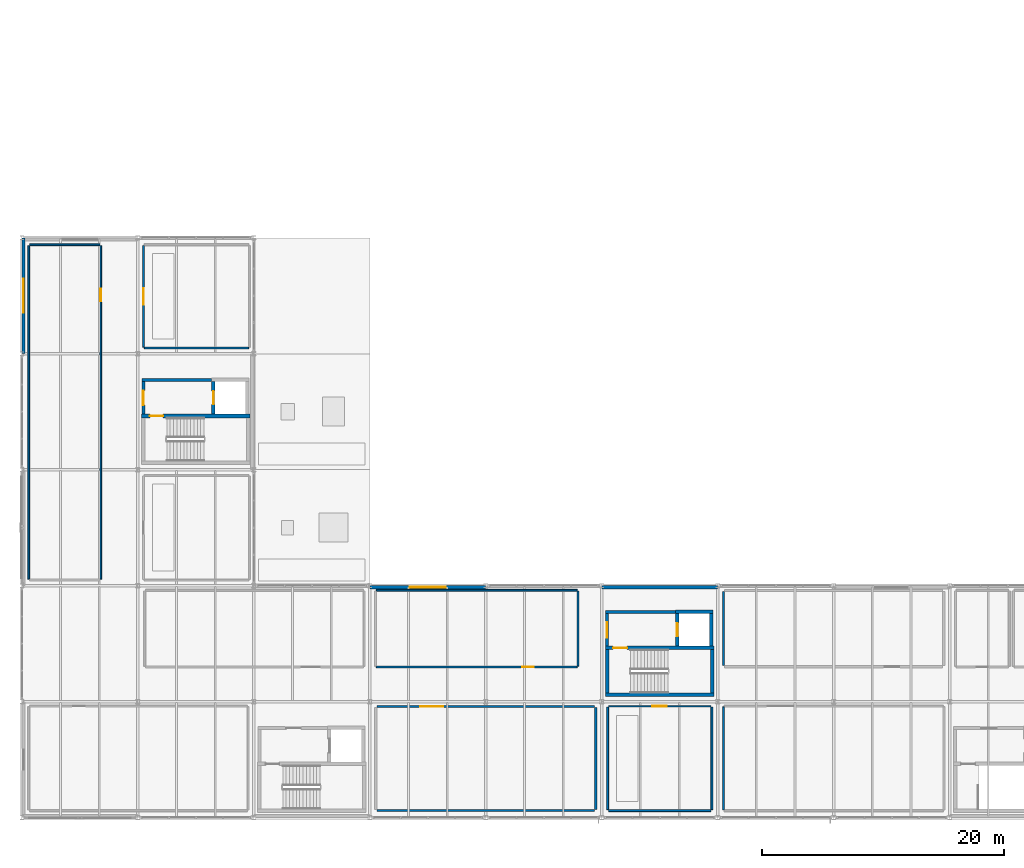
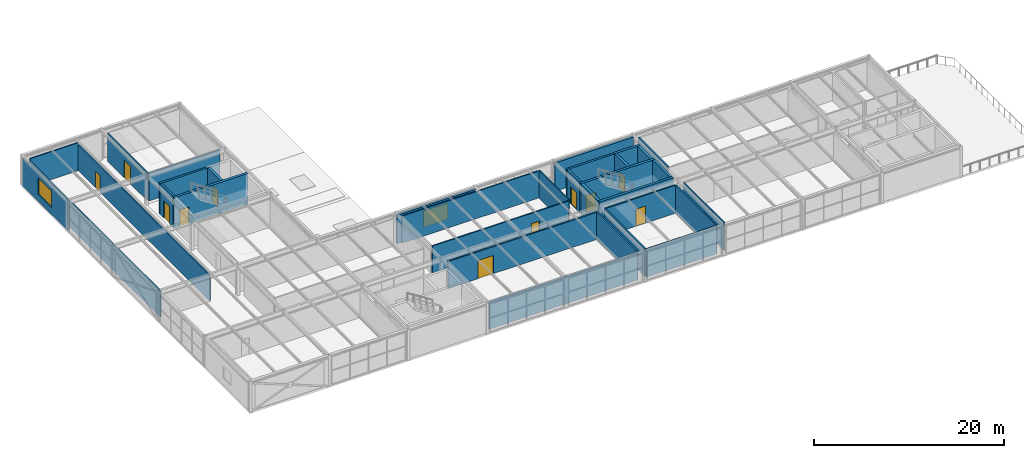
# One storey, part 43 of 50: 33 walls, 11 doors, 2 windows, 13 openings.
"""IFC4 building model written with IfcOpenShell, lengths in metres."""

from ifc_helpers import new_model, si_unit, direction, frame, frame_2d, origin, place, context, subcontext, project, spatial, rectangle, extrude, material, layer, layer_set, type_object, element, fill, save


model = new_model("IFC4")

# Units and contexts
model_context = context("Model", 3, precision=1e-05, world=origin(), true_north=direction((0.0, 1.0)))
body_context = subcontext(model_context, "Body", "Model", "MODEL_VIEW")
ifc_project = project(units=[si_unit("LENGTHUNIT", "METRE"), si_unit("AREAUNIT", "SQUARE_METRE"), si_unit("VOLUMEUNIT", "CUBIC_METRE"), si_unit("PLANEANGLEUNIT", "RADIAN"), si_unit("MASSUNIT", "GRAM", prefix="KILO")], contexts=[model_context])

# Site, building, storey
site_placement = place(None, origin())
site = spatial("IfcSite", under=ifc_project, at=site_placement, CompositionType="ELEMENT")
building_placement = place(site_placement, origin())
building = spatial("IfcBuilding", under=site, at=building_placement, Name="Coralgate Yard Interchange", CompositionType="ELEMENT")
storey_placement = place(building_placement, frame((0.0, 0.0, 14.699951171875)))
storey = spatial("IfcBuildingStorey", under=building, at=storey_placement, Name="L03", CompositionType="ELEMENT", Elevation=14.699951171875)

# Wall, opening, door
ifc_material_1 = material(Name="Concrete C40/50", Category="concrete")
ifc_layer_1 = layer(ifc_material_1, 0.300048828125)
ifc_layer_set_1 = layer_set([ifc_layer_1], Name="Concrete C40/50")
wall_type_1 = type_object("IfcWallType", Name="WAL-CW300", PredefinedType="SHEAR", material=ifc_layer_set_1)
wall_1_placement = place(storey_placement, frame((18.89990234375, 33.25, 0.0), z_axis=(0.0, 0.0, 1.0), x_axis=(-1.0, 0.0, 0.0)))
wall_1 = element("IfcWall", 1, at=wall_1_placement, inside=storey, type_object=wall_type_1, Name="C1 L03 stair north shear wall", PredefinedType="SHEAR", context=body_context, shape_type="SweptSolid", body=[
    extrude(rectangle(XDim=9.0, YDim=0.300048828125, at=frame_2d((4.5, 0.0))), origin(), (0.0, 0.0, 1.0), 3.949951171875),
])
opening_1_placement = place(wall_1_placement, frame((7.199951171875, 0.0, 0.0)))
opening_1 = element("IfcOpeningElement", 2, at=opening_1_placement, cuts=wall_1, Name="Opening FD-1", PredefinedType="OPENING", context=body_context, shape_type="SweptSolid", body=[
    extrude(rectangle(XDim=1.10009765625, YDim=2.14990234375, at=frame_2d((0.550048828125, 1.074951171875))), frame((0.0, 0.159912109375, 0.0), z_axis=(0.0, -1.0, 0.0), x_axis=(1.0, 0.0, 0.0)), (0.0, 0.0, 1.0), 0.320068359375),
])
ifc_material_2 = material(Name="Powder-coated steel fire door assembly", Category="steel")
door_type_1 = type_object("IfcDoorType", Name="DOR-FD-1", OperationType="NOTDEFINED", PredefinedType="DOOR", material=ifc_material_2)
door_1_placement = place(opening_1_placement, frame((1.10009765625, 0.0, 0.0), z_axis=(0.0, 0.0, 1.0), x_axis=(-1.0, 0.0, 0.0)))
door_1 = element("IfcDoor", 3, at=door_1_placement, inside=storey, type_object=door_type_1, Name="C1 L03 stair fire door", OperationType="SINGLE_SWING_RIGHT", OverallHeight=2.14990234375, OverallWidth=1.10009765625, PredefinedType="DOOR", context=body_context, shape_type="SweptSolid", body=[
    extrude(rectangle(XDim=1.10009765625, YDim=2.14990234375, at=frame_2d((0.550048828125, 1.074951171875))), frame((0.0, 0.02490234375, 0.0), z_axis=(0.0, -1.0, 0.0), x_axis=(1.0, 0.0, 0.0)), (0.0, 0.0, 1.0), 0.050048828125),
])
fill(opening_1, door_1)

wall_2_placement = place(storey_placement, frame((15.85009765625, 36.10009765625, 0.0), z_axis=(0.0, 0.0, 1.0), x_axis=(0.0, -1.0, 0.0)))
wall_2 = element("IfcWall", 4, at=wall_2_placement, inside=storey, type_object=wall_type_1, Name="C1 L03 lift front shear wall", PredefinedType="SHEAR", context=body_context, shape_type="SweptSolid", body=[
    extrude(rectangle(XDim=2.7001953125, YDim=0.300048828125, at=frame_2d((1.35009765625, 0.0))), origin(), (0.0, 0.0, 1.0), 3.949951171875),
])
opening_2_placement = place(wall_2_placement, frame((0.800048828125, 0.0, 0.0)))
opening_2 = element("IfcOpeningElement", 5, at=opening_2_placement, cuts=wall_2, Name="Opening LD-1", PredefinedType="OPENING", context=body_context, shape_type="SweptSolid", body=[
    extrude(rectangle(XDim=1.10009765625, YDim=2.10009765625, at=frame_2d((0.550048828125, 1.050048828125))), frame((0.0, 0.159912109375, 0.0), z_axis=(0.0, -1.0, 0.0), x_axis=(1.0, 0.0, 0.0)), (0.0, 0.0, 1.0), 0.320068359375),
])
ifc_material_3 = material(Name="Brushed stainless steel firefighting lift landing door", Category="steel")
door_type_2 = type_object("IfcDoorType", Name="DOR-LD-1", OperationType="DOUBLE_DOOR_SLIDING", PredefinedType="DOOR", material=ifc_material_3)
door_2_placement = place(opening_2_placement, frame((1.10009765625, 0.0, 0.0), z_axis=(0.0, 0.0, 1.0), x_axis=(-1.0, 0.0, 0.0)))
door_2 = element("IfcDoor", 6, at=door_2_placement, inside=storey, type_object=door_type_2, Name="FFL-01 L03 sliding lift landing door", OperationType="DOUBLE_DOOR_SLIDING", OverallHeight=2.10009765625, OverallWidth=1.10009765625, PredefinedType="DOOR", context=body_context, shape_type="SweptSolid", body=[
    extrude(rectangle(XDim=1.10009765625, YDim=2.10009765625, at=frame_2d((0.550048828125, 1.050048828125))), frame((0.0, 0.02490234375, 0.0), z_axis=(0.0, -1.0, 0.0), x_axis=(1.0, 0.0, 0.0)), (0.0, 0.0, 1.0), 0.050048828125),
])
fill(opening_2, door_2)

# Wall
wall_3_placement = place(storey_placement, frame((48.300048828125, 10.169921875, 0.0), z_axis=(0.0, 0.0, 1.0), x_axis=(1.0, 0.0, 0.0)))
element("IfcWall", 7, at=wall_3_placement, inside=storey, type_object=wall_type_1, Name="C2 L03 stair south shear wall", PredefinedType="SHEAR", context=body_context, shape_type="SweptSolid", body=[
    extrude(rectangle(XDim=9.0, YDim=0.300048828125, at=frame_2d((4.5, 0.0))), origin(), (0.0, 0.0, 1.0), 3.949951171875),
])

# Wall, opening, door
wall_4_placement = place(storey_placement, frame((57.300048828125, 14.050048828125, 0.0), z_axis=(0.0, 0.0, 1.0), x_axis=(-1.0, 0.0, 0.0)))
wall_4 = element("IfcWall", 8, at=wall_4_placement, inside=storey, type_object=wall_type_1, Name="C2 L03 stair north shear wall", PredefinedType="SHEAR", context=body_context, shape_type="SweptSolid", body=[
    extrude(rectangle(XDim=9.0, YDim=0.300048828125, at=frame_2d((4.5, 0.0))), origin(), (0.0, 0.0, 1.0), 3.949951171875),
])
opening_3_placement = place(wall_4_placement, frame((7.199951171875, 0.0, 0.0)))
opening_3 = element("IfcOpeningElement", 9, at=opening_3_placement, cuts=wall_4, Name="Opening FD-1B", PredefinedType="OPENING", context=body_context, shape_type="SweptSolid", body=[
    extrude(rectangle(XDim=1.14990234375, YDim=2.14990234375, at=frame_2d((0.574951171875, 1.074951171875))), frame((0.0, 0.159912109375, 0.0), z_axis=(0.0, -1.0, 0.0), x_axis=(1.0, 0.0, 0.0)), (0.0, 0.0, 1.0), 0.320068359375),
])
door_type_3 = type_object("IfcDoorType", Name="DOR-FD-1B", OperationType="NOTDEFINED", PredefinedType="DOOR", material=ifc_material_2)
door_3_placement = place(opening_3_placement, frame((1.14990234375, 0.0, 0.0), z_axis=(0.0, 0.0, 1.0), x_axis=(-1.0, 0.0, 0.0)))
door_3 = element("IfcDoor", 10, at=door_3_placement, inside=storey, type_object=door_type_3, Name="C2 L03 stair fire door", OperationType="SINGLE_SWING_LEFT", OverallHeight=2.14990234375, OverallWidth=1.14990234375, PredefinedType="DOOR", context=body_context, shape_type="SweptSolid", body=[
    extrude(rectangle(XDim=1.14990234375, YDim=2.14990234375, at=frame_2d((0.574951171875, 1.074951171875))), frame((0.0, 0.02490234375, 0.0), z_axis=(0.0, -1.0, 0.0), x_axis=(1.0, 0.0, 0.0)), (0.0, 0.0, 1.0), 0.050048828125),
])
fill(opening_3, door_3)

# Walls
for number, where, z_axis, x_axis, name in (
    (11, (48.449951171875, 10.320068359375, 0.0), (0.0, 0.0, 1.0), (0.0, 1.0, 0.0), "C2 L03 stair west shear wall"),
    (12, (57.14990234375, 13.89990234375, 0.0), (0.0, 0.0, 1.0), (0.0, -1.0, 0.0), "C2 L03 stair east shear wall"),
):
    element("IfcWall", number, at=place(storey_placement, frame(where, z_axis=z_axis, x_axis=x_axis)), inside=storey, type_object=wall_type_1, Name=name, PredefinedType="SHEAR", context=body_context, shape_type="SweptSolid", body=[
        extrude(rectangle(XDim=3.579833984375, YDim=0.300048828125, at=frame_2d((1.7900390625, 0.0))), origin(), (0.0, 0.0, 1.0), 3.949951171875),
    ])

# Wall, opening, door
wall_5_placement = place(storey_placement, frame((54.25, 16.89990234375, 0.0), z_axis=(0.0, 0.0, 1.0), x_axis=(0.0, -1.0, 0.0)))
wall_5 = element("IfcWall", 13, at=wall_5_placement, inside=storey, type_object=wall_type_1, Name="C2 L03 lift front shear wall", PredefinedType="SHEAR", context=body_context, shape_type="SweptSolid", body=[
    extrude(rectangle(XDim=2.699951171875, YDim=0.300048828125, at=frame_2d((1.35009765625, 0.0))), origin(), (0.0, 0.0, 1.0), 3.949951171875),
])
opening_4_placement = place(wall_5_placement, frame((0.800048828125, 0.0, 0.0)))
opening_4 = element("IfcOpeningElement", 14, at=opening_4_placement, cuts=wall_5, Name="Opening LD-1", PredefinedType="OPENING", context=body_context, shape_type="SweptSolid", body=[
    extrude(rectangle(XDim=1.10009765625, YDim=2.10009765625, at=frame_2d((0.550048828125, 1.050048828125))), frame((0.0, 0.159912109375, 0.0), z_axis=(0.0, -1.0, 0.0), x_axis=(1.0, 0.0, 0.0)), (0.0, 0.0, 1.0), 0.320068359375),
])
door_4_placement = place(opening_4_placement, frame((1.10009765625, 0.0, 0.0), z_axis=(0.0, 0.0, 1.0), x_axis=(-1.0, 0.0, 0.0)))
door_4 = element("IfcDoor", 15, at=door_4_placement, inside=storey, type_object=door_type_2, Name="FFL-02 L03 sliding lift landing door", OperationType="DOUBLE_DOOR_SLIDING", OverallHeight=2.10009765625, OverallWidth=1.10009765625, PredefinedType="DOOR", context=body_context, shape_type="SweptSolid", body=[
    extrude(rectangle(XDim=1.10009765625, YDim=2.10009765625, at=frame_2d((0.550048828125, 1.050048828125))), frame((0.0, 0.02490234375, 0.0), z_axis=(0.0, -1.0, 0.0), x_axis=(1.0, 0.0, 0.0)), (0.0, 0.0, 1.0), 0.050048828125),
])
fill(opening_4, door_4)

# Walls
wall_6_placement = place(storey_placement, frame((57.050048828125, 14.199951171875, 0.0), z_axis=(0.0, 0.0, 1.0), x_axis=(0.0, 1.0, 0.0)))
element("IfcWall", 16, at=wall_6_placement, inside=storey, type_object=wall_type_1, Name="C2 L03 lift rear shear wall", PredefinedType="SHEAR", context=body_context, shape_type="SweptSolid", body=[
    extrude(rectangle(XDim=2.699951171875, YDim=0.300048828125, at=frame_2d((1.35009765625, 0.0))), origin(), (0.0, 0.0, 1.0), 3.949951171875),
])
wall_7_placement = place(storey_placement, frame((54.10009765625, 17.050048828125, 0.0), z_axis=(0.0, 0.0, 1.0), x_axis=(1.0, 0.0, 0.0)))
element("IfcWall", 17, at=wall_7_placement, inside=storey, type_object=wall_type_1, Name="C2 L03 lift north shear wall", PredefinedType="SHEAR", context=body_context, shape_type="SweptSolid", body=[
    extrude(rectangle(XDim=3.099853515625, YDim=0.300048828125, at=frame_2d((1.5498046875, 0.0))), origin(), (0.0, 0.0, 1.0), 3.949951171875),
])

# Wall, opening, window
ifc_material_4 = material(Name="Precast concrete C40/50", Category="concrete")
ifc_layer_2 = layer(ifc_material_4, 0.260009765625)
ifc_layer_set_2 = layer_set([ifc_layer_2], Name="Precast concrete C40/50")
wall_type_2 = type_object("IfcWallType", Name="WAL-EW-260", PredefinedType="SOLIDWALL", material=ifc_layer_set_2)
wall_8_placement = place(storey_placement, frame((0.1298828125, 38.419921875, 0.0), z_axis=(0.0, 0.0, 1.0), x_axis=(0.0, 1.0, 0.0)))
wall_8 = element("IfcWall", 18, at=wall_8_placement, inside=storey, type_object=wall_type_2, Name="L03 exterior coastal wall W 0-4", PredefinedType="SOLIDWALL", context=body_context, shape_type="SweptSolid", body=[
    extrude(rectangle(XDim=9.56005859375, YDim=0.260009765625, at=frame_2d((4.780029296875, 0.0))), origin(), (0.0, 0.0, 1.0), 3.4931640625),
])
opening_5_placement = place(wall_8_placement, frame((3.35498046875, 0.0, 0.89990234375)))
opening_5 = element("IfcOpeningElement", 19, at=opening_5_placement, cuts=wall_8, Name="Opening W-20", PredefinedType="OPENING", context=body_context, shape_type="SweptSolid", body=[
    extrude(rectangle(XDim=2.85009765625, YDim=2.10009765625, at=frame_2d((1.425048828125, 1.050048828125))), frame((0.0, 0.139892578125, 0.0), z_axis=(0.0, -1.0, 0.0), x_axis=(1.0, 0.0, 0.0)), (0.0, 0.0, 1.0), 0.280029296875),
])
ifc_material_5 = material(Name="Thermally broken anodised aluminium and solar-control low-E glass", Category="aluminium")
window_type_1 = type_object("IfcWindowType", Name="WIN-W-20", PartitioningType="SINGLE_PANEL", PredefinedType="WINDOW", material=ifc_material_5)
window_1_placement = place(opening_5_placement, origin())
window_1 = element("IfcWindow", 20, at=window_1_placement, inside=storey, type_object=window_type_1, Name="L03 coastal facade window W-0-4", OverallHeight=2.10009765625, OverallWidth=2.85009765625, PartitioningType="SINGLE_PANEL", PredefinedType="WINDOW", context=body_context, shape_type="SweptSolid", body=[
    extrude(rectangle(XDim=2.85009765625, YDim=2.10009765625, at=frame_2d((1.425048828125, 1.050048828125))), frame((0.0, 0.030029296875, 0.0), z_axis=(0.0, -1.0, 0.0), x_axis=(1.0, 0.0, 0.0)), (0.0, 0.0, 1.0), 0.06005859375),
])
fill(opening_5, window_1)

wall_9_placement = place(storey_placement, frame((28.820068359375, 19.070068359375, 0.0), z_axis=(0.0, 0.0, 1.0), x_axis=(1.0, 0.0, 0.0)))
wall_9 = element("IfcWall", 21, at=wall_9_placement, inside=storey, type_object=wall_type_2, Name="L03 exterior coastal wall N 3-1", PredefinedType="SOLIDWALL", context=body_context, shape_type="SweptSolid", body=[
    extrude(rectangle(XDim=9.559814453125, YDim=0.260009765625, at=frame_2d((4.77978515625, 0.0))), origin(), (0.0, 0.0, 1.0), 3.66015625),
])
opening_6_placement = place(wall_9_placement, frame((3.280029296875, 0.0, 0.89990234375)))
opening_6 = element("IfcOpeningElement", 22, at=opening_6_placement, cuts=wall_9, Name="Opening W-02", PredefinedType="OPENING", context=body_context, shape_type="SweptSolid", body=[
    extrude(rectangle(XDim=3.0, YDim=2.10009765625, at=frame_2d((1.5, 1.050048828125))), frame((0.0, 0.139892578125, 0.0), z_axis=(0.0, -1.0, 0.0), x_axis=(1.0, 0.0, 0.0)), (0.0, 0.0, 1.0), 0.280029296875),
])
window_type_2 = type_object("IfcWindowType", Name="WIN-W-02", PartitioningType="SINGLE_PANEL", PredefinedType="WINDOW", material=ifc_material_5)
window_2_placement = place(opening_6_placement, origin())
window_2 = element("IfcWindow", 23, at=window_2_placement, inside=storey, type_object=window_type_2, Name="L03 coastal facade window N-3-1", OverallHeight=2.10009765625, OverallWidth=3.0, PartitioningType="SINGLE_PANEL", PredefinedType="WINDOW", context=body_context, shape_type="SweptSolid", body=[
    extrude(rectangle(XDim=3.0, YDim=2.10009765625, at=frame_2d((1.5, 1.050048828125))), frame((0.0, 0.030029296875, 0.0), z_axis=(0.0, -1.0, 0.0), x_axis=(1.0, 0.0, 0.0)), (0.0, 0.0, 1.0), 0.06005859375),
])
fill(opening_6, window_2)

# Walls
wall_10_placement = place(storey_placement, frame((48.02001953125, 19.070068359375, 0.0), z_axis=(0.0, 0.0, 1.0), x_axis=(1.0, 0.0, 0.0)))
element("IfcWall", 24, at=wall_10_placement, inside=storey, type_object=wall_type_2, Name="L03 exterior coastal wall N 5-1", PredefinedType="SOLIDWALL", context=body_context, shape_type="SweptSolid", body=[
    extrude(rectangle(XDim=9.56005859375, YDim=0.260009765625, at=frame_2d((4.780029296875, 0.0))), origin(), (0.0, 0.0, 1.0), 3.66015625),
])
ifc_material_6 = material(Name="Acoustic twin-stud office partition")
ifc_layer_3 = layer(ifc_material_6, 0.139892578125)
ifc_layer_set_3 = layer_set([ifc_layer_3], Name="Acoustic twin-stud office partition")
wall_type_3 = type_object("IfcWallType", Name="WAL-PW-140", PredefinedType="PARTITIONING", material=ifc_layer_set_3)
wall_11_placement = place(storey_placement, frame((58.070068359375, 0.639892578125, 0.0), z_axis=(0.0, 0.0, 1.0), x_axis=(0.0, 1.0, 0.0)))
element("IfcWall", 25, at=wall_11_placement, inside=storey, type_object=wall_type_3, Name="Coastal Staff Canteen and Veranda Dining partition W", PredefinedType="PARTITIONING", context=body_context, shape_type="SweptSolid", body=[
    extrude(rectangle(XDim=8.52001953125, YDim=0.139892578125, at=frame_2d((4.260009765625, 0.0))), origin(), (0.0, 0.0, 1.0), 3.590087890625),
])
wall_12_placement = place(storey_placement, frame((0.639892578125, 47.429931640625, 0.0), z_axis=(0.0, 0.0, 1.0), x_axis=(1.0, 0.0, 0.0)))
element("IfcWall", 26, at=wall_12_placement, inside=storey, type_object=wall_type_3, Name="Train and Bus Crew Locker Room partition N", PredefinedType="PARTITIONING", context=body_context, shape_type="SweptSolid", body=[
    extrude(rectangle(XDim=5.820068359375, YDim=0.139892578125, at=frame_2d((2.91015625, 0.0))), origin(), (0.0, 0.0, 1.0), 3.590087890625),
])
wall_13_placement = place(storey_placement, frame((0.570068359375, 19.739990234375, 0.0), z_axis=(0.0, 0.0, 1.0), x_axis=(0.0, 1.0, 0.0)))
element("IfcWall", 27, at=wall_13_placement, inside=storey, type_object=wall_type_3, Name="Train and Bus Crew Locker Room partition W", PredefinedType="PARTITIONING", context=body_context, shape_type="SweptSolid", body=[
    extrude(rectangle(XDim=27.6201171875, YDim=0.139892578125, at=frame_2d((13.81005859375, 0.0))), origin(), (0.0, 0.0, 1.0), 3.33251953125),
])

# Wall, opening, door
wall_14_placement = place(storey_placement, frame((6.530029296875, 47.360107421875, 0.0), z_axis=(0.0, 0.0, 1.0), x_axis=(0.0, -1.0, 0.0)))
wall_14 = element("IfcWall", 28, at=wall_14_placement, inside=storey, type_object=wall_type_3, Name="Train and Bus Crew Locker Room partition E", PredefinedType="PARTITIONING", context=body_context, shape_type="SweptSolid", body=[
    extrude(rectangle(XDim=27.6201171875, YDim=0.139892578125, at=frame_2d((13.81005859375, 0.0))), origin(), (0.0, 0.0, 1.0), 3.33251953125),
])
opening_7_placement = place(wall_14_placement, frame((3.60009765625, 0.0, 0.0)))
opening_7 = element("IfcOpeningElement", 29, at=opening_7_placement, cuts=wall_14, Name="Opening ID-02", PredefinedType="OPENING", context=body_context, shape_type="SweptSolid", body=[
    extrude(rectangle(XDim=1.0, YDim=2.14990234375, at=frame_2d((0.5, 1.074951171875))), frame((0.0, 0.079833984375, 0.0), z_axis=(0.0, -1.0, 0.0), x_axis=(1.0, 0.0, 0.0)), (0.0, 0.0, 1.0), 0.159912109375),
])
ifc_material_7 = material(Name="Accessible wide-leaf washroom and office door")
door_type_4 = type_object("IfcDoorType", Name="DOR-ID-02", OperationType="NOTDEFINED", PredefinedType="DOOR", material=ifc_material_7)
door_5_placement = place(opening_7_placement, origin())
door_5 = element("IfcDoor", 30, at=door_5_placement, inside=storey, type_object=door_type_4, Name="Train and Bus Crew Locker Room door", OperationType="SINGLE_SWING_RIGHT", OverallHeight=2.14990234375, OverallWidth=1.0, PredefinedType="DOOR", context=body_context, shape_type="SweptSolid", body=[
    extrude(rectangle(XDim=1.0, YDim=2.14990234375, at=frame_2d((0.5, 1.074951171875))), frame((0.0, 0.02490234375, 0.0), z_axis=(0.0, -1.0, 0.0), x_axis=(1.0, 0.0, 0.0)), (0.0, 0.0, 1.0), 0.050048828125),
])
fill(opening_7, door_5)

# Wall
wall_15_placement = place(storey_placement, frame((18.760009765625, 38.8701171875, 0.0), z_axis=(0.0, 0.0, 1.0), x_axis=(-1.0, 0.0, 0.0)))
element("IfcWall", 31, at=wall_15_placement, inside=storey, type_object=wall_type_3, Name="Occupational Health and First-Aid Suite partition S", PredefinedType="PARTITIONING", context=body_context, shape_type="SweptSolid", body=[
    extrude(rectangle(XDim=8.6201171875, YDim=0.139892578125, at=frame_2d((4.31005859375, 0.0))), origin(), (0.0, 0.0, 1.0), 3.590087890625),
])

# Wall, opening, door
wall_16_placement = place(storey_placement, frame((10.070068359375, 38.93994140625, 0.0), z_axis=(0.0, 0.0, 1.0), x_axis=(0.0, 1.0, 0.0)))
wall_16 = element("IfcWall", 32, at=wall_16_placement, inside=storey, type_object=wall_type_3, Name="Occupational Health and First-Aid Suite partition W", PredefinedType="PARTITIONING", context=body_context, shape_type="SweptSolid", body=[
    extrude(rectangle(XDim=8.420166015625, YDim=0.139892578125, at=frame_2d((4.2099609375, 0.0))), origin(), (0.0, 0.0, 1.0), 3.590087890625),
])
opening_8_placement = place(wall_16_placement, frame((3.534912109375, 0.0, 0.0)))
opening_8 = element("IfcOpeningElement", 33, at=opening_8_placement, cuts=wall_16, Name="Opening ID-17", PredefinedType="OPENING", context=body_context, shape_type="SweptSolid", body=[
    extrude(rectangle(XDim=1.35009765625, YDim=2.25, at=frame_2d((0.675048828125, 1.125))), frame((0.0, 0.079833984375, 0.0), z_axis=(0.0, -1.0, 0.0), x_axis=(1.0, 0.0, 0.0)), (0.0, 0.0, 1.0), 0.159912109375),
])
ifc_material_8 = material(Name="Unequal-leaf medical and first-aid door")
door_type_5 = type_object("IfcDoorType", Name="DOR-ID-17", OperationType="NOTDEFINED", PredefinedType="DOOR", material=ifc_material_8)
door_6_placement = place(opening_8_placement, frame((1.35009765625, 0.0, 0.0), z_axis=(0.0, 0.0, 1.0), x_axis=(-1.0, 0.0, 0.0)))
door_6 = element("IfcDoor", 34, at=door_6_placement, inside=storey, type_object=door_type_5, Name="Occupational Health and First-Aid Suite door", OperationType="SINGLE_SWING_LEFT", OverallHeight=2.25, OverallWidth=1.35009765625, PredefinedType="DOOR", context=body_context, shape_type="SweptSolid", body=[
    extrude(rectangle(XDim=1.35009765625, YDim=2.25, at=frame_2d((0.675048828125, 1.125))), frame((0.0, 0.02490234375, 0.0), z_axis=(0.0, -1.0, 0.0), x_axis=(1.0, 0.0, 0.0)), (0.0, 0.0, 1.0), 0.050048828125),
])
fill(opening_8, door_6)

wall_17_placement = place(storey_placement, frame((45.9599609375, 12.469970703125, 0.0), z_axis=(0.0, 0.0, 1.0), x_axis=(-1.0, 0.0, 0.0)))
wall_17 = element("IfcWall", 35, at=wall_17_placement, inside=storey, type_object=wall_type_3, Name="Crew Rostering and Dispatch Office partition S", PredefinedType="PARTITIONING", context=body_context, shape_type="SweptSolid", body=[
    extrude(rectangle(XDim=16.619873046875, YDim=0.139892578125, at=frame_2d((8.31005859375, 0.0))), origin(), (0.0, 0.0, 1.0), 3.483154296875),
])
opening_9_placement = place(wall_17_placement, frame((3.60009765625, 0.0, 0.0)))
opening_9 = element("IfcOpeningElement", 36, at=opening_9_placement, cuts=wall_17, Name="Opening ID-01", PredefinedType="OPENING", context=body_context, shape_type="SweptSolid", body=[
    extrude(rectangle(XDim=0.949951171875, YDim=2.14990234375, at=frame_2d((0.47509765625, 1.074951171875))), frame((0.0, 0.079833984375, 0.0), z_axis=(0.0, -1.0, 0.0), x_axis=(1.0, 0.0, 0.0)), (0.0, 0.0, 1.0), 0.159912109375),
])
ifc_material_9 = material(Name="Solid-core hardwood timber office door", Category="wood")
door_type_6 = type_object("IfcDoorType", Name="DOR-ID-01", OperationType="NOTDEFINED", PredefinedType="DOOR", material=ifc_material_9)
door_7_placement = place(opening_9_placement, frame((0.949951171875, 0.0, 0.0), z_axis=(0.0, 0.0, 1.0), x_axis=(-1.0, 0.0, 0.0)))
door_7 = element("IfcDoor", 37, at=door_7_placement, inside=storey, type_object=door_type_6, Name="Crew Rostering and Dispatch Office door", OperationType="SINGLE_SWING_LEFT", OverallHeight=2.14990234375, OverallWidth=0.949951171875, PredefinedType="DOOR", context=body_context, shape_type="SweptSolid", body=[
    extrude(rectangle(XDim=0.949951171875, YDim=2.14990234375, at=frame_2d((0.47509765625, 1.074951171875))), frame((0.0, 0.02490234375, 0.0), z_axis=(0.0, -1.0, 0.0), x_axis=(1.0, 0.0, 0.0)), (0.0, 0.0, 1.0), 0.050048828125),
])
fill(opening_9, door_7)

# Walls
wall_18_placement = place(storey_placement, frame((29.340087890625, 18.830078125, 0.0), z_axis=(0.0, 0.0, 1.0), x_axis=(1.0, 0.0, 0.0)))
element("IfcWall", 38, at=wall_18_placement, inside=storey, type_object=wall_type_3, Name="Crew Rostering and Dispatch Office partition N", PredefinedType="PARTITIONING", context=body_context, shape_type="SweptSolid", body=[
    extrude(rectangle(XDim=16.619873046875, YDim=0.139892578125, at=frame_2d((8.31005859375, 0.0))), origin(), (0.0, 0.0, 1.0), 3.483154296875),
])
wall_19_placement = place(storey_placement, frame((46.030029296875, 18.760009765625, 0.0), z_axis=(0.0, 0.0, 1.0), x_axis=(0.0, -1.0, 0.0)))
element("IfcWall", 39, at=wall_19_placement, inside=storey, type_object=wall_type_3, Name="Crew Rostering and Dispatch Office partition E", PredefinedType="PARTITIONING", context=body_context, shape_type="SweptSolid", body=[
    extrude(rectangle(XDim=6.219970703125, YDim=0.139892578125, at=frame_2d((3.10986328125, 0.0))), origin(), (0.0, 0.0, 1.0), 3.590087890625),
])
ifc_material_10 = material(Name="Fire-rated twin-stud gypsum partition")
ifc_layer_4 = layer(ifc_material_10, 0.159912109375)
ifc_layer_set_4 = layer_set([ifc_layer_4], Name="Fire-rated twin-stud gypsum partition")
wall_type_4 = type_object("IfcWallType", Name="WAL-PW-160", PredefinedType="PARTITIONING", material=ifc_layer_set_4)
wall_20_placement = place(storey_placement, frame((57.0400390625, 0.580078125, 0.0), z_axis=(0.0, 0.0, 1.0), x_axis=(-1.0, 0.0, 0.0)))
element("IfcWall", 40, at=wall_20_placement, inside=storey, type_object=wall_type_4, Name="Crew Uniform Issue and Equipment Store partition S", PredefinedType="PARTITIONING", context=body_context, shape_type="SweptSolid", body=[
    extrude(rectangle(XDim=8.47998046875, YDim=0.159912109375, at=frame_2d((4.239990234375, 0.0))), origin(), (0.0, 0.0, 1.0), 3.590087890625),
])

# Wall, opening, door
wall_21_placement = place(storey_placement, frame((48.56005859375, 9.219970703125, 0.0), z_axis=(0.0, 0.0, 1.0), x_axis=(1.0, 0.0, 0.0)))
wall_21 = element("IfcWall", 41, at=wall_21_placement, inside=storey, type_object=wall_type_4, Name="Crew Uniform Issue and Equipment Store partition N", PredefinedType="PARTITIONING", context=body_context, shape_type="SweptSolid", body=[
    extrude(rectangle(XDim=8.47998046875, YDim=0.159912109375, at=frame_2d((4.239990234375, 0.0))), origin(), (0.0, 0.0, 1.0), 3.590087890625),
])
opening_10_placement = place(wall_21_placement, frame((3.639892578125, 0.0, 0.0)))
opening_10 = element("IfcOpeningElement", 42, at=opening_10_placement, cuts=wall_21, Name="Opening ID-05", PredefinedType="OPENING", context=body_context, shape_type="SweptSolid", body=[
    extrude(rectangle(XDim=1.199951171875, YDim=2.199951171875, at=frame_2d((0.60009765625, 1.10009765625))), frame((0.0, 0.08984375, 0.0), z_axis=(0.0, -1.0, 0.0), x_axis=(1.0, 0.0, 0.0)), (0.0, 0.0, 1.0), 0.179931640625),
])
ifc_material_11 = material(Name="Powder-coated steel plant and store fire door", Category="steel")
door_type_7 = type_object("IfcDoorType", Name="DOR-ID-05", OperationType="NOTDEFINED", PredefinedType="DOOR", material=ifc_material_11)
door_8_placement = place(opening_10_placement, frame((1.199951171875, 0.0, 0.0), z_axis=(0.0, 0.0, 1.0), x_axis=(-1.0, 0.0, 0.0)))
door_8 = element("IfcDoor", 43, at=door_8_placement, inside=storey, type_object=door_type_7, Name="Crew Uniform Issue and Equipment Store door", OperationType="SINGLE_SWING_LEFT", OverallHeight=2.199951171875, OverallWidth=1.199951171875, PredefinedType="DOOR", context=body_context, shape_type="SweptSolid", body=[
    extrude(rectangle(XDim=1.199951171875, YDim=2.199951171875, at=frame_2d((0.60009765625, 1.10009765625))), frame((0.0, 0.02490234375, 0.0), z_axis=(0.0, -1.0, 0.0), x_axis=(1.0, 0.0, 0.0)), (0.0, 0.0, 1.0), 0.050048828125),
])
fill(opening_10, door_8)

# Walls
for number, where, z_axis, x_axis, name in (
    (44, (48.47998046875, 0.659912109375, 0.0), (0.0, 0.0, 1.0), (0.0, 1.0, 0.0), "Crew Uniform Issue and Equipment Store partition W"),
    (45, (57.1201171875, 9.139892578125, 0.0), (0.0, 0.0, 1.0), (0.0, -1.0, 0.0), "Crew Uniform Issue and Equipment Store partition E"),
):
    element("IfcWall", number, at=place(storey_placement, frame(where, z_axis=z_axis, x_axis=x_axis)), inside=storey, type_object=wall_type_4, Name=name, PredefinedType="PARTITIONING", context=body_context, shape_type="SweptSolid", body=[
        extrude(rectangle(XDim=8.47998046875, YDim=0.159912109375, at=frame_2d((4.239990234375, 0.0))), origin(), (0.0, 0.0, 1.0), 3.590087890625),
    ])
ifc_material_12 = material(Name="Acoustic concrete blockwork", Category="masonry")
ifc_layer_5 = layer(ifc_material_12, 0.179931640625)
ifc_layer_set_5 = layer_set([ifc_layer_5], Name="Acoustic concrete blockwork")
wall_type_5 = type_object("IfcWallType", Name="WAL-PW-180", PredefinedType="PARTITIONING", material=ifc_layer_set_5)
wall_22_placement = place(storey_placement, frame((47.419921875, 0.590087890625, 0.0), z_axis=(0.0, 0.0, 1.0), x_axis=(-1.0, 0.0, 0.0)))
element("IfcWall", 46, at=wall_22_placement, inside=storey, type_object=wall_type_5, Name="Driver and Train Crew Briefing Hall partition S", PredefinedType="PARTITIONING", context=body_context, shape_type="SweptSolid", body=[
    extrude(rectangle(XDim=18.0400390625, YDim=0.179931640625, at=frame_2d((9.02001953125, 0.0))), origin(), (0.0, 0.0, 1.0), 3.483154296875),
])

# Wall, opening, door
wall_23_placement = place(storey_placement, frame((29.3798828125, 9.2099609375, 0.0), z_axis=(0.0, 0.0, 1.0), x_axis=(1.0, 0.0, 0.0)))
wall_23 = element("IfcWall", 47, at=wall_23_placement, inside=storey, type_object=wall_type_5, Name="Driver and Train Crew Briefing Hall partition N", PredefinedType="PARTITIONING", context=body_context, shape_type="SweptSolid", body=[
    extrude(rectangle(XDim=18.0400390625, YDim=0.179931640625, at=frame_2d((9.02001953125, 0.0))), origin(), (0.0, 0.0, 1.0), 3.483154296875),
])
opening_11_placement = place(wall_23_placement, frame((3.60009765625, 0.0, 0.0)))
opening_11 = element("IfcOpeningElement", 48, at=opening_11_placement, cuts=wall_23, Name="Opening ID-21", PredefinedType="OPENING", context=body_context, shape_type="SweptSolid", body=[
    extrude(rectangle(XDim=1.89990234375, YDim=2.35009765625, at=frame_2d((0.949951171875, 1.175048828125))), frame((0.0, 0.099853515625, 0.0), z_axis=(0.0, -1.0, 0.0), x_axis=(1.0, 0.0, 0.0)), (0.0, 0.0, 1.0), 0.199951171875),
])
ifc_material_13 = material(Name="Briefing and conference double door")
door_type_8 = type_object("IfcDoorType", Name="DOR-ID-21", OperationType="NOTDEFINED", PredefinedType="DOOR", material=ifc_material_13)
door_9_placement = place(opening_11_placement, origin())
door_9 = element("IfcDoor", 49, at=door_9_placement, inside=storey, type_object=door_type_8, Name="Driver and Train Crew Briefing Hall door", OperationType="DOUBLE_DOOR_SINGLE_SWING", OverallHeight=2.35009765625, OverallWidth=1.89990234375, PredefinedType="DOOR", context=body_context, shape_type="SweptSolid", body=[
    extrude(rectangle(XDim=1.89990234375, YDim=2.35009765625, at=frame_2d((0.949951171875, 1.175048828125))), frame((0.0, 0.02490234375, 0.0), z_axis=(0.0, -1.0, 0.0), x_axis=(1.0, 0.0, 0.0)), (0.0, 0.0, 1.0), 0.050048828125),
])
fill(opening_11, door_9)

# Walls
wall_24_placement = place(storey_placement, frame((47.510009765625, 9.1201171875, 0.0), z_axis=(0.0, 0.0, 1.0), x_axis=(0.0, -1.0, 0.0)))
element("IfcWall", 50, at=wall_24_placement, inside=storey, type_object=wall_type_5, Name="Driver and Train Crew Briefing Hall partition E", PredefinedType="PARTITIONING", context=body_context, shape_type="SweptSolid", body=[
    extrude(rectangle(XDim=8.440185546875, YDim=0.179931640625, at=frame_2d((4.22021484375, 0.0))), origin(), (0.0, 0.0, 1.0), 3.590087890625),
])
wall_25_placement = place(storey_placement, frame((58.090087890625, 12.580078125, 0.0), z_axis=(0.0, 0.0, 1.0), x_axis=(0.0, 1.0, 0.0)))
element("IfcWall", 51, at=wall_25_placement, inside=storey, type_object=wall_type_5, Name="Canteen Preparation Kitchen and Cold Store partition W", PredefinedType="PARTITIONING", context=body_context, shape_type="SweptSolid", body=[
    extrude(rectangle(XDim=6.139892578125, YDim=0.179931640625, at=frame_2d((3.06982421875, 0.0))), origin(), (0.0, 0.0, 1.0), 3.590087890625),
])
ifc_layer_6 = layer(ifc_material_1, 0.25)
ifc_layer_set_6 = layer_set([ifc_layer_6], Name="Concrete C40/50")
wall_type_6 = type_object("IfcWallType", Name="WAL-SW250", PredefinedType="SHEAR", material=ifc_layer_set_6)
wall_26_placement = place(storey_placement, frame((15.699951171875, 36.22509765625, 0.0), z_axis=(0.0, 0.0, 1.0), x_axis=(-1.0, 0.0, 0.0)))
element("IfcWall", 52, at=wall_26_placement, inside=storey, type_object=wall_type_6, Name="C1 L03 lobby north fire wall", PredefinedType="SHEAR", context=body_context, shape_type="SweptSolid", body=[
    extrude(rectangle(XDim=5.77490234375, YDim=0.25, at=frame_2d((2.887451171875, 0.0))), origin(), (0.0, 0.0, 1.0), 3.949951171875),
])

# Wall, opening, door
wall_27_placement = place(storey_placement, frame((10.050048828125, 33.39990234375, 0.0), z_axis=(0.0, 0.0, 1.0), x_axis=(0.0, 1.0, 0.0)))
wall_27 = element("IfcWall", 53, at=wall_27_placement, inside=storey, type_object=wall_type_6, Name="C1 L03 lobby west fire wall", PredefinedType="SHEAR", context=body_context, shape_type="SweptSolid", body=[
    extrude(rectangle(XDim=2.7001953125, YDim=0.25, at=frame_2d((1.35009765625, 0.0))), origin(), (0.0, 0.0, 1.0), 3.949951171875),
])
opening_12_placement = place(wall_27_placement, frame((0.75, 0.0, 0.0)))
opening_12 = element("IfcOpeningElement", 54, at=opening_12_placement, cuts=wall_27, Name="Opening FD-2", PredefinedType="OPENING", context=body_context, shape_type="SweptSolid", body=[
    extrude(rectangle(XDim=1.199951171875, YDim=2.14990234375, at=frame_2d((0.60009765625, 1.074951171875))), frame((0.0, 0.135009765625, 0.0), z_axis=(0.0, -1.0, 0.0), x_axis=(1.0, 0.0, 0.0)), (0.0, 0.0, 1.0), 0.27001953125),
])
door_type_9 = type_object("IfcDoorType", Name="DOR-FD-2", OperationType="NOTDEFINED", PredefinedType="DOOR", material=ifc_material_2)
door_10_placement = place(opening_12_placement, frame((1.199951171875, 0.0, 0.0), z_axis=(0.0, 0.0, 1.0), x_axis=(-1.0, 0.0, 0.0)))
door_10 = element("IfcDoor", 55, at=door_10_placement, inside=storey, type_object=door_type_9, Name="C1 L03 lobby fire door", OperationType="SINGLE_SWING_LEFT", OverallHeight=2.14990234375, OverallWidth=1.199951171875, PredefinedType="DOOR", context=body_context, shape_type="SweptSolid", body=[
    extrude(rectangle(XDim=1.199951171875, YDim=2.14990234375, at=frame_2d((0.60009765625, 1.074951171875))), frame((0.0, 0.02490234375, 0.0), z_axis=(0.0, -1.0, 0.0), x_axis=(1.0, 0.0, 0.0)), (0.0, 0.0, 1.0), 0.050048828125),
])
fill(opening_12, door_10)

# Wall
wall_28_placement = place(storey_placement, frame((54.10009765625, 17.02490234375, 0.0), z_axis=(0.0, 0.0, 1.0), x_axis=(-1.0, 0.0, 0.0)))
element("IfcWall", 56, at=wall_28_placement, inside=storey, type_object=wall_type_6, Name="C2 L03 lobby north fire wall", PredefinedType="SHEAR", context=body_context, shape_type="SweptSolid", body=[
    extrude(rectangle(XDim=5.775146484375, YDim=0.25, at=frame_2d((2.8876953125, 0.0))), origin(), (0.0, 0.0, 1.0), 3.949951171875),
])

# Wall, opening, door
wall_29_placement = place(storey_placement, frame((48.449951171875, 14.199951171875, 0.0), z_axis=(0.0, 0.0, 1.0), x_axis=(0.0, 1.0, 0.0)))
wall_29 = element("IfcWall", 57, at=wall_29_placement, inside=storey, type_object=wall_type_6, Name="C2 L03 lobby west fire wall", PredefinedType="SHEAR", context=body_context, shape_type="SweptSolid", body=[
    extrude(rectangle(XDim=2.699951171875, YDim=0.25, at=frame_2d((1.35009765625, 0.0))), origin(), (0.0, 0.0, 1.0), 3.949951171875),
])
opening_13_placement = place(wall_29_placement, frame((0.7099609375, 0.0, 0.0)))
opening_13 = element("IfcOpeningElement", 58, at=opening_13_placement, cuts=wall_29, Name="Opening FD-2B", PredefinedType="OPENING", context=body_context, shape_type="SweptSolid", body=[
    extrude(rectangle(XDim=1.280029296875, YDim=2.199951171875, at=frame_2d((0.64013671875, 1.10009765625))), frame((0.0, 0.135009765625, 0.0), z_axis=(0.0, -1.0, 0.0), x_axis=(1.0, 0.0, 0.0)), (0.0, 0.0, 1.0), 0.27001953125),
])
door_type_10 = type_object("IfcDoorType", Name="DOR-FD-2B", OperationType="NOTDEFINED", PredefinedType="DOOR", material=ifc_material_2)
door_11_placement = place(opening_13_placement, frame((1.280029296875, 0.0, 0.0), z_axis=(0.0, 0.0, 1.0), x_axis=(-1.0, 0.0, 0.0)))
door_11 = element("IfcDoor", 59, at=door_11_placement, inside=storey, type_object=door_type_10, Name="C2 L03 lobby fire door", OperationType="SINGLE_SWING_RIGHT", OverallHeight=2.199951171875, OverallWidth=1.280029296875, PredefinedType="DOOR", context=body_context, shape_type="SweptSolid", body=[
    extrude(rectangle(XDim=1.280029296875, YDim=2.199951171875, at=frame_2d((0.64013671875, 1.10009765625))), frame((0.0, 0.02490234375, 0.0), z_axis=(0.0, -1.0, 0.0), x_axis=(1.0, 0.0, 0.0)), (0.0, 0.0, 1.0), 0.050048828125),
])
fill(opening_13, door_11)

save(model, "model.ifc")
